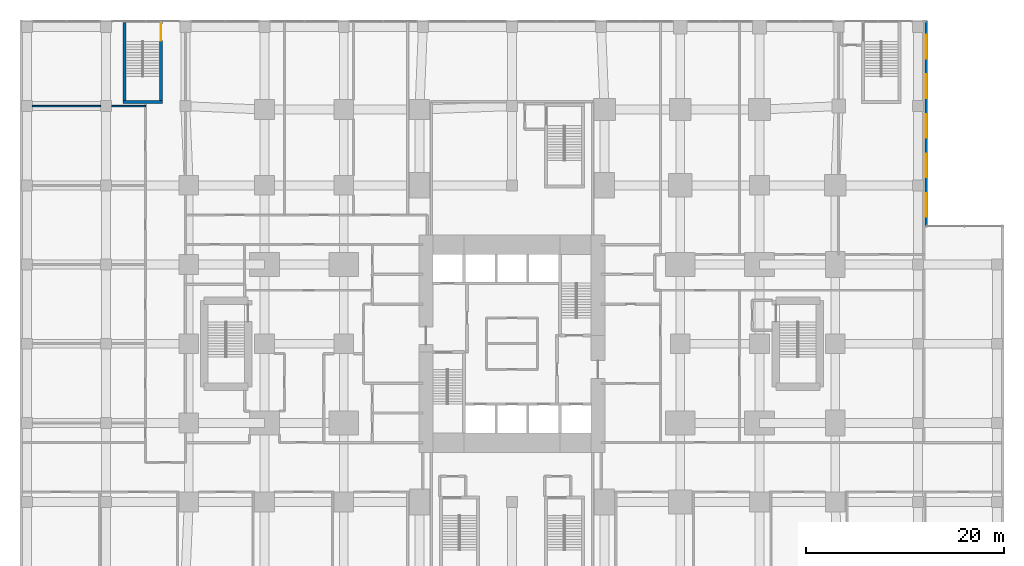
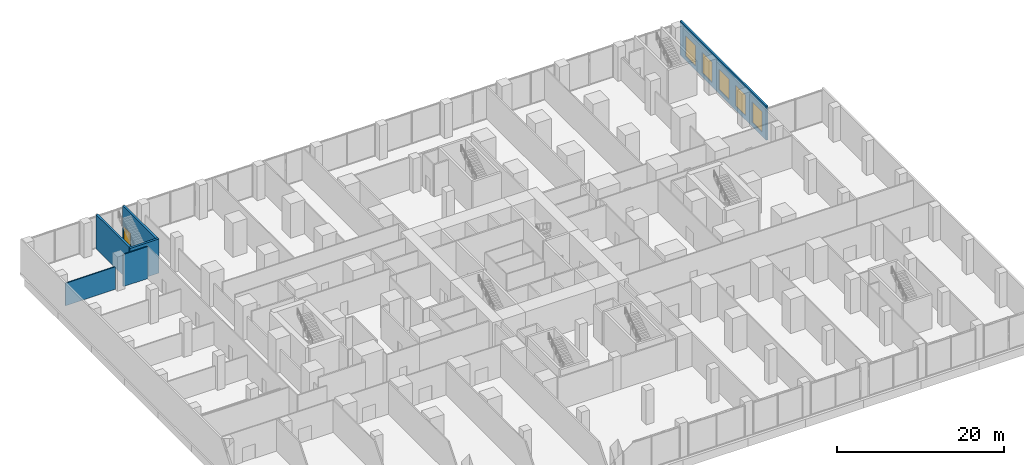
# One storey, part 17 of 22: 6 walls, 5 windows, 1 door, 6 openings.
"""IFC4 building model written with IfcOpenShell, lengths in metres."""

from ifc_helpers import new_model, si_unit, direction, frame, frame_2d, origin, place, context, subcontext, project, spatial, rectangle, extrude, material, layer, layer_set, type_object, element, fill, save


model = new_model("IFC4")

# Units and contexts
model_context = context("Model", 3, precision=1e-05, world=origin(), true_north=direction((0.0, 1.0)))
body_context = subcontext(model_context, "Body", "Model", "MODEL_VIEW")
ifc_project = project(units=[si_unit("LENGTHUNIT", "METRE"), si_unit("AREAUNIT", "SQUARE_METRE"), si_unit("VOLUMEUNIT", "CUBIC_METRE"), si_unit("PLANEANGLEUNIT", "RADIAN"), si_unit("MASSUNIT", "GRAM", prefix="KILO")], contexts=[model_context])

# Site, building, storey
site_placement = place(None, origin())
site = spatial("IfcSite", under=ifc_project, at=site_placement, CompositionType="ELEMENT")
building_placement = place(site_placement, origin())
building = spatial("IfcBuilding", under=site, at=building_placement, Name="Cleftline Residences", CompositionType="ELEMENT")
storey_placement = place(building_placement, frame((0.0, 0.0, 6.0)))
storey = spatial("IfcBuildingStorey", under=building, at=storey_placement, Name="L01", CompositionType="ELEMENT", Elevation=6.0)

# Wall, openings, windows
ifc_material_1 = material(Name="Rendered reinforced concrete blockwork", Category="masonry")
ifc_layer_1 = layer(ifc_material_1, 0.25)
ifc_layer_set_1 = layer_set([ifc_layer_1], Name="EXTERNAL WALL 250")
wall_type_1 = type_object("IfcWallType", Name="EXTERNAL WALL 250", PredefinedType="SOLIDWALL", material=ifc_layer_set_1)
wall_1_placement = place(storey_placement, frame((74.824951171875, 35.875, 0.0), z_axis=(0.0, 0.0, 1.0), x_axis=(0.0, 1.0, 0.0)))
wall_1 = element("IfcWall", 1, at=wall_1_placement, inside=storey, type_object=wall_type_1, Name="External wall", PredefinedType="SOLIDWALL", context=body_context, shape_type="SweptSolid", body=[
    extrude(rectangle(XDim=20.699951171875, YDim=0.25, at=frame_2d((10.35009765625, 0.0))), origin(), (0.0, 0.0, 1.0), 5.0),
])
opening_1_placement = place(wall_1_placement, frame((4.925048828125, 0.0, 0.60009765625)))
opening_1 = element("IfcOpeningElement", 2, at=opening_1_placement, cuts=wall_1, Name="Opening W3", PredefinedType="OPENING", context=body_context, shape_type="SweptSolid", body=[
    extrude(rectangle(XDim=2.39990234375, YDim=3.0, at=frame_2d((1.199951171875, 1.5))), frame((0.0, 0.135009765625, 0.0), z_axis=(0.0, -1.0, 0.0), x_axis=(1.0, 0.0, 0.0)), (0.0, 0.0, 1.0), 0.27001953125),
])
opening_2_placement = place(wall_1_placement, frame((8.925048828125, 0.0, 0.60009765625)))
opening_2 = element("IfcOpeningElement", 3, at=opening_2_placement, cuts=wall_1, Name="Opening W3", PredefinedType="OPENING", context=body_context, shape_type="SweptSolid", body=[
    extrude(rectangle(XDim=2.39990234375, YDim=3.0, at=frame_2d((1.199951171875, 1.5))), frame((0.0, 0.135009765625, 0.0), z_axis=(0.0, -1.0, 0.0), x_axis=(1.0, 0.0, 0.0)), (0.0, 0.0, 1.0), 0.27001953125),
])
opening_3_placement = place(wall_1_placement, frame((12.925048828125, 0.0, 0.60009765625)))
opening_3 = element("IfcOpeningElement", 4, at=opening_3_placement, cuts=wall_1, Name="Opening W3", PredefinedType="OPENING", context=body_context, shape_type="SweptSolid", body=[
    extrude(rectangle(XDim=2.39990234375, YDim=3.0, at=frame_2d((1.199951171875, 1.5))), frame((0.0, 0.135009765625, 0.0), z_axis=(0.0, -1.0, 0.0), x_axis=(1.0, 0.0, 0.0)), (0.0, 0.0, 1.0), 0.27001953125),
])
opening_4_placement = place(wall_1_placement, frame((16.925048828125, 0.0, 0.60009765625)))
opening_4 = element("IfcOpeningElement", 5, at=opening_4_placement, cuts=wall_1, Name="Opening W3", PredefinedType="OPENING", context=body_context, shape_type="SweptSolid", body=[
    extrude(rectangle(XDim=2.39990234375, YDim=3.0, at=frame_2d((1.199951171875, 1.5))), frame((0.0, 0.135009765625, 0.0), z_axis=(0.0, -1.0, 0.0), x_axis=(1.0, 0.0, 0.0)), (0.0, 0.0, 1.0), 0.27001953125),
])
opening_5_placement = place(wall_1_placement, frame((0.925048828125, 0.0, 0.60009765625)))
opening_5 = element("IfcOpeningElement", 6, at=opening_5_placement, cuts=wall_1, Name="Opening W3", PredefinedType="OPENING", context=body_context, shape_type="SweptSolid", body=[
    extrude(rectangle(XDim=2.39990234375, YDim=3.0, at=frame_2d((1.199951171875, 1.5))), frame((0.0, 0.135009765625, 0.0), z_axis=(0.0, -1.0, 0.0), x_axis=(1.0, 0.0, 0.0)), (0.0, 0.0, 1.0), 0.27001953125),
])
ifc_material_2 = material(Name="Aluminium frame, clear double glazing", Category="aluminium")
window_type = type_object("IfcWindowType", Name="WINDOW 2400X3000", PartitioningType="DOUBLE_PANEL_VERTICAL", PredefinedType="WINDOW", material=ifc_material_2)
window_1_placement = place(opening_1_placement, origin())
window_1 = element("IfcWindow", 7, at=window_1_placement, inside=storey, type_object=window_type, Name="Window", OverallHeight=3.0, OverallWidth=2.39990234375, PartitioningType="SINGLE_PANEL", PredefinedType="WINDOW", context=body_context, shape_type="SweptSolid", body=[
    extrude(rectangle(XDim=2.39990234375, YDim=3.0, at=frame_2d((1.199951171875, 1.5))), frame((0.0, 0.030029296875, 0.0), z_axis=(0.0, -1.0, 0.0), x_axis=(1.0, 0.0, 0.0)), (0.0, 0.0, 1.0), 0.06005859375),
])
fill(opening_1, window_1)
window_2_placement = place(opening_2_placement, origin())
window_2 = element("IfcWindow", 8, at=window_2_placement, inside=storey, type_object=window_type, Name="Window", OverallHeight=3.0, OverallWidth=2.39990234375, PartitioningType="SINGLE_PANEL", PredefinedType="WINDOW", context=body_context, shape_type="SweptSolid", body=[
    extrude(rectangle(XDim=2.39990234375, YDim=3.0, at=frame_2d((1.199951171875, 1.5))), frame((0.0, 0.030029296875, 0.0), z_axis=(0.0, -1.0, 0.0), x_axis=(1.0, 0.0, 0.0)), (0.0, 0.0, 1.0), 0.06005859375),
])
fill(opening_2, window_2)
window_3_placement = place(opening_3_placement, origin())
window_3 = element("IfcWindow", 9, at=window_3_placement, inside=storey, type_object=window_type, Name="Window", OverallHeight=3.0, OverallWidth=2.39990234375, PartitioningType="SINGLE_PANEL", PredefinedType="WINDOW", context=body_context, shape_type="SweptSolid", body=[
    extrude(rectangle(XDim=2.39990234375, YDim=3.0, at=frame_2d((1.199951171875, 1.5))), frame((0.0, 0.030029296875, 0.0), z_axis=(0.0, -1.0, 0.0), x_axis=(1.0, 0.0, 0.0)), (0.0, 0.0, 1.0), 0.06005859375),
])
fill(opening_3, window_3)
window_4_placement = place(opening_4_placement, origin())
window_4 = element("IfcWindow", 10, at=window_4_placement, inside=storey, type_object=window_type, Name="Window", OverallHeight=3.0, OverallWidth=2.39990234375, PartitioningType="SINGLE_PANEL", PredefinedType="WINDOW", context=body_context, shape_type="SweptSolid", body=[
    extrude(rectangle(XDim=2.39990234375, YDim=3.0, at=frame_2d((1.199951171875, 1.5))), frame((0.0, 0.030029296875, 0.0), z_axis=(0.0, -1.0, 0.0), x_axis=(1.0, 0.0, 0.0)), (0.0, 0.0, 1.0), 0.06005859375),
])
fill(opening_4, window_4)
window_5_placement = place(opening_5_placement, origin())
window_5 = element("IfcWindow", 11, at=window_5_placement, inside=storey, type_object=window_type, Name="Window", OverallHeight=3.0, OverallWidth=2.39990234375, PartitioningType="SINGLE_PANEL", PredefinedType="WINDOW", context=body_context, shape_type="SweptSolid", body=[
    extrude(rectangle(XDim=2.39990234375, YDim=3.0, at=frame_2d((1.199951171875, 1.5))), frame((0.0, 0.030029296875, 0.0), z_axis=(0.0, -1.0, 0.0), x_axis=(1.0, 0.0, 0.0)), (0.0, 0.0, 1.0), 0.06005859375),
])
fill(opening_5, window_5)

# Walls
ifc_material_3 = material(Name="Gypsum board on steel studs", Category="steel")
ifc_layer_2 = layer(ifc_material_3, 0.14990234375)
ifc_layer_set_2 = layer_set([ifc_layer_2], Name="PARTITION 150")
wall_type_2 = type_object("IfcWallType", Name="PARTITION 150", PredefinedType="PARTITIONING", material=ifc_layer_set_2)
wall_2_placement = place(storey_placement, frame((-15.449951171875, 48.0, 0.0), z_axis=(0.0, 0.0, 1.0), x_axis=(1.0, 0.0, 0.0)))
element("IfcWall", 12, at=wall_2_placement, inside=storey, type_object=wall_type_2, Name="Partition", PredefinedType="PARTITIONING", context=body_context, shape_type="SweptSolid", body=[
    extrude(rectangle(XDim=6.89990234375, YDim=0.14990234375, at=frame_2d((3.449951171875, 0.0))), origin(), (0.0, 0.0, 1.0), 3.300048828125),
])
wall_3_placement = place(storey_placement, frame((-7.449951171875, 48.0, 0.0), z_axis=(0.0, 0.0, 1.0), x_axis=(1.0, 0.0, 0.0)))
element("IfcWall", 13, at=wall_3_placement, inside=storey, type_object=wall_type_2, Name="Partition", PredefinedType="PARTITIONING", context=body_context, shape_type="SweptSolid", body=[
    extrude(rectangle(XDim=3.449951171875, YDim=0.14990234375, at=frame_2d((1.72509765625, 0.0))), origin(), (0.0, 0.0, 1.0), 4.699951171875),
])
ifc_material_4 = material(Name="Concrete blockwork, fire rated", Category="masonry")
ifc_layer_3 = layer(ifc_material_4, 0.300048828125)
ifc_layer_set_3 = layer_set([ifc_layer_3], Name="STAIR ENCLOSURE WALL 300")
wall_type_3 = type_object("IfcWallType", Name="STAIR ENCLOSURE WALL 300", PredefinedType="PARTITIONING", material=ifc_layer_set_3)
wall_4_placement = place(storey_placement, frame((-6.300048828125, 48.39990234375, 0.0), z_axis=(0.0, 0.0, 1.0), x_axis=(1.0, 0.0, 0.0)))
element("IfcWall", 14, at=wall_4_placement, inside=storey, type_object=wall_type_3, Name="Stair PS-W enclosure", PredefinedType="PARTITIONING", context=body_context, shape_type="SweptSolid", body=[
    extrude(rectangle(XDim=4.0, YDim=0.300048828125, at=frame_2d((2.0, 0.0))), origin(), (0.0, 0.0, 1.0), 5.0),
])
wall_5_placement = place(storey_placement, frame((-6.14990234375, 48.550048828125, 0.0), z_axis=(0.0, 0.0, 1.0), x_axis=(0.0, 1.0, 0.0)))
element("IfcWall", 15, at=wall_5_placement, inside=storey, type_object=wall_type_3, Name="Stair PS-W enclosure", PredefinedType="PARTITIONING", context=body_context, shape_type="SweptSolid", body=[
    extrude(rectangle(XDim=7.89990234375, YDim=0.300048828125, at=frame_2d((3.949951171875, 0.0))), origin(), (0.0, 0.0, 1.0), 5.0),
])

# Wall, opening, door
wall_6_placement = place(storey_placement, frame((-2.449951171875, 48.550048828125, 0.0), z_axis=(0.0, 0.0, 1.0), x_axis=(0.0, 1.0, 0.0)))
wall_6 = element("IfcWall", 16, at=wall_6_placement, inside=storey, type_object=wall_type_3, Name="Stair PS-W enclosure", PredefinedType="PARTITIONING", context=body_context, shape_type="SweptSolid", body=[
    extrude(rectangle(XDim=7.89990234375, YDim=0.300048828125, at=frame_2d((3.949951171875, 0.0))), origin(), (0.0, 0.0, 1.0), 5.0),
])
opening_6_placement = place(wall_6_placement, frame((6.070068359375, 0.0, 0.0)))
opening_6 = element("IfcOpeningElement", 17, at=opening_6_placement, cuts=wall_6, Name="Opening D11", PredefinedType="OPENING", context=body_context, shape_type="SweptSolid", body=[
    extrude(rectangle(XDim=1.72998046875, YDim=2.10009765625, at=frame_2d((0.864990234375, 1.050048828125))), frame((0.0, 0.159912109375, 0.0), z_axis=(0.0, -1.0, 0.0), x_axis=(1.0, 0.0, 0.0)), (0.0, 0.0, 1.0), 0.320068359375),
])
ifc_material_5 = material(Name="Steel", Category="steel")
door_type = type_object("IfcDoorType", Name="STAIR DOOR 1730X2100", OperationType="DOUBLE_DOOR_SINGLE_SWING", PredefinedType="DOOR", material=ifc_material_5)
door_placement = place(opening_6_placement, origin())
door = element("IfcDoor", 18, at=door_placement, inside=storey, type_object=door_type, Name="Stair PS-W door", OperationType="DOUBLE_DOOR_SINGLE_SWING", OverallHeight=2.10009765625, OverallWidth=1.72998046875, PredefinedType="DOOR", context=body_context, shape_type="SweptSolid", body=[
    extrude(rectangle(XDim=1.72998046875, YDim=2.10009765625, at=frame_2d((0.864990234375, 1.050048828125))), frame((0.0, 0.02490234375, 0.0), z_axis=(0.0, -1.0, 0.0), x_axis=(1.0, 0.0, 0.0)), (0.0, 0.0, 1.0), 0.050048828125),
])
fill(opening_6, door)

save(model, "model.ifc")
